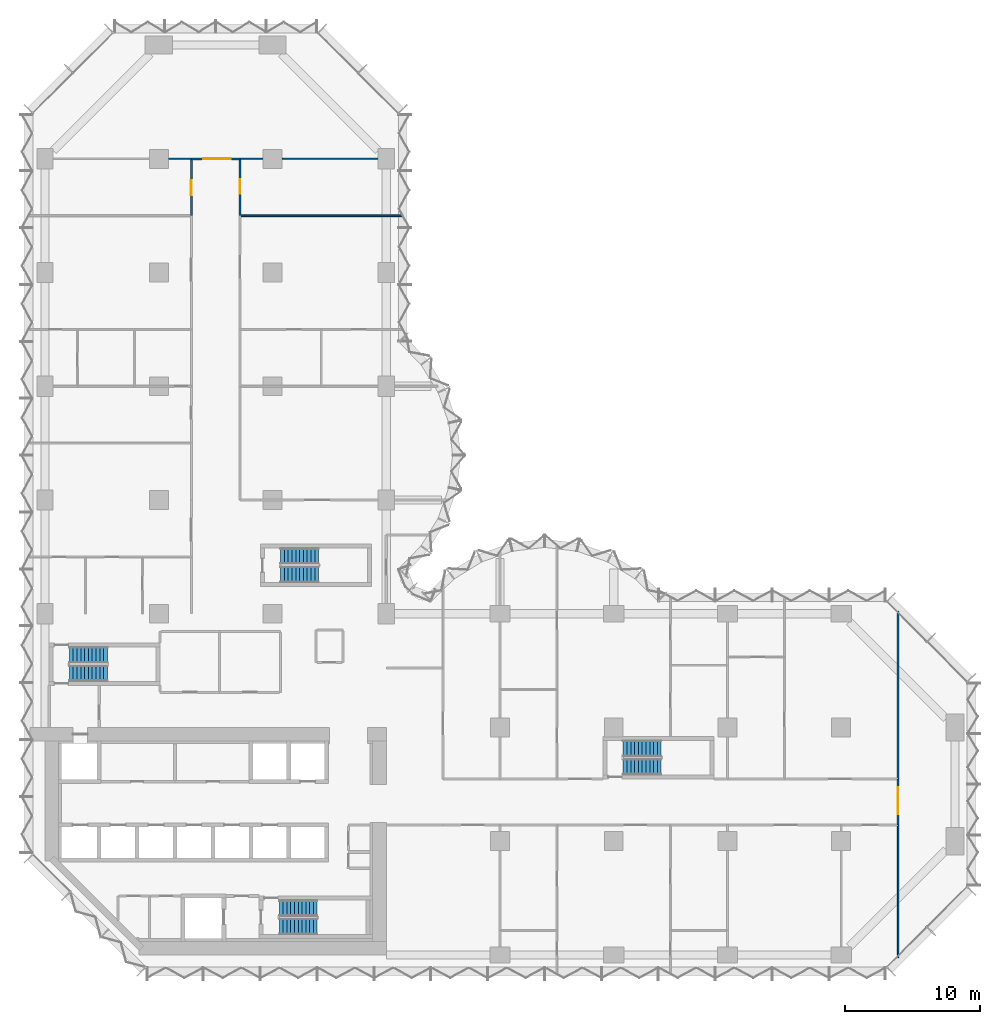
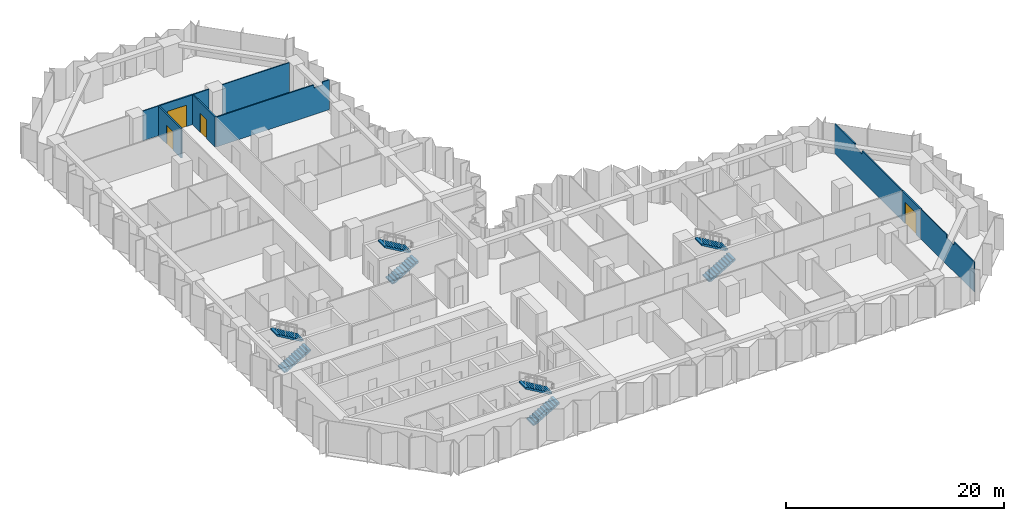
# One storey, part 12 of 15: 10 walls, 8 stair flights, 4 doors, 4 openings, 4 elements without a shape of their own.
"""IFC4 building model written with IfcOpenShell, lengths in metres."""

from ifc_helpers import new_model, si_unit, direction, frame, frame_2d, origin, place, context, subcontext, project, spatial, polyline, rectangle, outline, extrude, material, layer, layer_set, type_object, element, fill, aggregate, save


model = new_model("IFC4")

# Units and contexts
model_context = context("Model", 3, precision=1e-05, world=origin(), true_north=direction((0.0, 1.0)))
body_context = subcontext(model_context, "Body", "Model", "MODEL_VIEW")
ifc_project = project(units=[si_unit("LENGTHUNIT", "METRE"), si_unit("AREAUNIT", "SQUARE_METRE"), si_unit("VOLUMEUNIT", "CUBIC_METRE"), si_unit("PLANEANGLEUNIT", "RADIAN"), si_unit("MASSUNIT", "GRAM", prefix="KILO")], contexts=[model_context])

# Site, building, storey
site_placement = place(None, origin())
site = spatial("IfcSite", under=ifc_project, at=site_placement, CompositionType="ELEMENT")
building_placement = place(site_placement, origin())
building = spatial("IfcBuilding", under=site, at=building_placement, Name="Brevane Broadcast Tower", CompositionType="ELEMENT")
storey_placement = place(building_placement, frame((0.0, 0.0, 43.699951171875)))
storey = spatial("IfcBuildingStorey", under=building, at=storey_placement, Name="L08", CompositionType="ELEMENT", Elevation=43.699951171875)

# Walls
ifc_material_1 = material(Name="Gypsum board partition")
ifc_layer_1 = layer(ifc_material_1, 0.10009765625)
ifc_layer_set_1 = layer_set([ifc_layer_1], Name="PARTITION 100 STUD")
wall_type_1 = type_object("IfcWallType", Name="PARTITION 100 STUD", PredefinedType="PARTITIONING", material=ifc_layer_set_1)
wall_1_placement = place(storey_placement, frame((63.0, -0.199951171875, 0.0), z_axis=(0.0, 0.0, 1.0), x_axis=(0.0, 1.0, 0.0)))
element("IfcWall", 1, at=wall_1_placement, inside=storey, type_object=wall_type_1, Name="Partition G01-020", PredefinedType="PARTITIONING", context=body_context, shape_type="SweptSolid", body=[
    extrude(outline(polyline([(0.0, 0.0), (9.800048828125, 0.0), (9.800048828125, 3.330078125), (5.065673828125, 3.330078125), (5.063720703125, 2.97998046875), (3.736328125, 2.97998046875), (3.734375, 3.330078125), (0.0, 3.330078125), (0.0, 0.0)])), frame((0.0, 0.050048828125, 0.0), z_axis=(0.0, -1.0, 0.0), x_axis=(1.0, 0.0, 0.0)), (0.0, 0.0, 1.0), 0.10009765625),
])
wall_2_placement = place(storey_placement, frame((10.800048828125, 58.800048828125, 0.0), z_axis=(0.0, 0.0, 1.0), x_axis=(-1.0, 0.0, 0.0)))
element("IfcWall", 2, at=wall_2_placement, inside=storey, type_object=wall_type_1, Name="Partition G01-068", PredefinedType="PARTITIONING", context=body_context, shape_type="SweptSolid", body=[
    extrude(rectangle(XDim=1.679931640625, YDim=0.10009765625, at=frame_2d((0.83984375, 0.0))), origin(), (0.0, 0.0, 1.0), 3.330078125),
])
wall_3_placement = place(storey_placement, frame((24.580078125, 58.800048828125, 0.0), z_axis=(0.0, 0.0, 1.0), x_axis=(-1.0, 0.0, 0.0)))
element("IfcWall", 3, at=wall_3_placement, inside=storey, type_object=wall_type_1, Name="Partition G01-070", PredefinedType="PARTITIONING", context=body_context, shape_type="SweptSolid", body=[
    extrude(rectangle(XDim=7.06005859375, YDim=0.10009765625, at=frame_2d((3.530029296875, 0.0))), origin(), (0.0, 0.0, 1.0), 3.330078125),
])
wall_4_placement = place(storey_placement, frame((16.080078125, 58.800048828125, 0.0), z_axis=(0.0, 0.0, 1.0), x_axis=(-1.0, 0.0, 0.0)))
element("IfcWall", 4, at=wall_4_placement, inside=storey, type_object=wall_type_1, Name="Partition G01-071", PredefinedType="PARTITIONING", context=body_context, shape_type="SweptSolid", body=[
    extrude(rectangle(XDim=1.68017578125, YDim=0.10009765625, at=frame_2d((0.840087890625, 0.0))), origin(), (0.0, 0.0, 1.0), 3.330078125),
])
ifc_layer_2 = layer(ifc_material_1, 0.125)
ifc_layer_set_2 = layer_set([ifc_layer_2], Name="PARTITION 125 ACOUSTIC")
wall_type_2 = type_object("IfcWallType", Name="PARTITION 125 ACOUSTIC", PredefinedType="PARTITIONING", material=ifc_layer_set_2)
wall_5_placement = place(storey_placement, frame((63.0, 13.0, 0.0), z_axis=(0.0, 0.0, 1.0), x_axis=(0.0, 1.0, 0.0)))
element("IfcWall", 5, at=wall_5_placement, inside=storey, type_object=wall_type_2, Name="Partition G01-021", PredefinedType="PARTITIONING", context=body_context, shape_type="SweptSolid", body=[
    extrude(outline(polyline([(0.0, 0.0), (12.39990234375, 0.0), (12.39990234375, 3.330078125), (8.67822265625, 3.330078125), (8.67626953125, 2.97998046875), (7.32373046875, 2.97998046875), (7.32177734375, 3.330078125), (0.0, 3.330078125), (0.0, 0.0)])), frame((0.0, 0.0625, 0.0), z_axis=(0.0, -1.0, 0.0), x_axis=(1.0, 0.0, 0.0)), (0.0, 0.0, 1.0), 0.125),
])
wall_6_placement = place(storey_placement, frame((14.39990234375, 54.60009765625, 0.0), z_axis=(0.0, 0.0, 1.0), x_axis=(1.0, 0.0, 0.0)))
element("IfcWall", 6, at=wall_6_placement, inside=storey, type_object=wall_type_2, Name="Partition G01-092", PredefinedType="PARTITIONING", context=body_context, shape_type="SweptSolid", body=[
    extrude(outline(polyline([(0.0, 0.0), (11.97412109375, 0.0), (11.97412109375, 3.330078125), (11.89990234375, 3.330078125), (11.25, 3.330078125), (11.248046875, 2.97998046875), (10.35205078125, 2.97998046875), (10.35009765625, 3.330078125), (0.0, 3.330078125), (0.0, 0.0)])), frame((0.0, 0.0625, 0.0), z_axis=(0.0, -1.0, 0.0), x_axis=(1.0, 0.0, 0.0)), (0.0, 0.0, 1.0), 0.125),
])

# Wall, opening, door
ifc_layer_3 = layer(ifc_material_1, 0.14990234375)
ifc_layer_set_3 = layer_set([ifc_layer_3], Name="PARTITION 150 EI 60")
wall_type_3 = type_object("IfcWallType", Name="PARTITION 150 EI 60", PredefinedType="PARTITIONING", material=ifc_layer_set_3)
wall_7_placement = place(storey_placement, frame((63.0, 13.0, 0.0), z_axis=(0.0, 0.0, 1.0), x_axis=(0.0, -1.0, 0.0)))
wall_7 = element("IfcWall", 7, at=wall_7_placement, inside=storey, type_object=wall_type_3, Name="Partition G01-007", PredefinedType="PARTITIONING", context=body_context, shape_type="SweptSolid", body=[
    extrude(rectangle(XDim=3.39990234375, YDim=0.14990234375, at=frame_2d((1.699951171875, 0.0))), origin(), (0.0, 0.0, 1.0), 3.330078125),
])
opening_1_placement = place(wall_7_placement, frame((0.60009765625, 0.0, 0.0)))
opening_1 = element("IfcOpeningElement", 8, at=opening_1_placement, cuts=wall_7, Name="Opening D07-002", PredefinedType="OPENING", context=body_context, shape_type="SweptSolid", body=[
    extrude(rectangle(XDim=2.0, YDim=2.39990234375, at=frame_2d((1.0, 1.199951171875))), frame((0.0, 0.0849609375, 0.0), z_axis=(0.0, -1.0, 0.0), x_axis=(1.0, 0.0, 0.0)), (0.0, 0.0, 1.0), 0.169921875),
])
ifc_material_2 = material(Name="Fire-rated timber door leaf", Category="wood")
door_type_1 = type_object("IfcDoorType", Name="DOOR DOUBLE 2000 FD30S", OperationType="DOUBLE_DOOR_SINGLE_SWING", PredefinedType="DOOR", material=ifc_material_2)
door_1_placement = place(opening_1_placement, origin())
door_1 = element("IfcDoor", 9, at=door_1_placement, inside=storey, type_object=door_type_1, Name="Door D07-002", OperationType="DOUBLE_DOOR_SINGLE_SWING", OverallHeight=2.39990234375, OverallWidth=2.0, PredefinedType="DOOR", context=body_context, shape_type="SweptSolid", body=[
    extrude(rectangle(XDim=2.0, YDim=2.39990234375, at=frame_2d((1.0, 1.199951171875))), frame((0.0, 0.02490234375, 0.0), z_axis=(0.0, -1.0, 0.0), x_axis=(1.0, 0.0, 0.0)), (0.0, 0.0, 1.0), 0.050048828125),
])
fill(opening_1, door_1)

wall_8_placement = place(storey_placement, frame((10.800048828125, 58.800048828125, 0.0), z_axis=(0.0, 0.0, 1.0), x_axis=(1.0, 0.0, 0.0)))
wall_8 = element("IfcWall", 10, at=wall_8_placement, inside=storey, type_object=wall_type_3, Name="Partition G01-058", PredefinedType="PARTITIONING", context=body_context, shape_type="SweptSolid", body=[
    extrude(rectangle(XDim=3.599853515625, YDim=0.14990234375, at=frame_2d((1.7998046875, 0.0))), origin(), (0.0, 0.0, 1.0), 3.330078125),
])
opening_2_placement = place(wall_8_placement, frame((0.89990234375, 0.0, 0.0)))
opening_2 = element("IfcOpeningElement", 11, at=opening_2_placement, cuts=wall_8, Name="Opening D07-020", PredefinedType="OPENING", context=body_context, shape_type="SweptSolid", body=[
    extrude(rectangle(XDim=2.0, YDim=2.39990234375, at=frame_2d((1.0, 1.199951171875))), frame((0.0, 0.0849609375, 0.0), z_axis=(0.0, -1.0, 0.0), x_axis=(1.0, 0.0, 0.0)), (0.0, 0.0, 1.0), 0.169921875),
])
door_2_placement = place(opening_2_placement, origin())
door_2 = element("IfcDoor", 12, at=door_2_placement, inside=storey, type_object=door_type_1, Name="Door D07-020", OperationType="DOUBLE_DOOR_SINGLE_SWING", OverallHeight=2.39990234375, OverallWidth=2.0, PredefinedType="DOOR", context=body_context, shape_type="SweptSolid", body=[
    extrude(rectangle(XDim=2.0, YDim=2.39990234375, at=frame_2d((1.0, 1.199951171875))), frame((0.0, 0.02490234375, 0.0), z_axis=(0.0, -1.0, 0.0), x_axis=(1.0, 0.0, 0.0)), (0.0, 0.0, 1.0), 0.050048828125),
])
fill(opening_2, door_2)

wall_9_placement = place(storey_placement, frame((10.800048828125, 54.60009765625, 0.0), z_axis=(0.0, 0.0, 1.0), x_axis=(0.0, 1.0, 0.0)))
wall_9 = element("IfcWall", 13, at=wall_9_placement, inside=storey, type_object=wall_type_3, Name="Partition G01-063", PredefinedType="PARTITIONING", context=body_context, shape_type="SweptSolid", body=[
    extrude(rectangle(XDim=4.199951171875, YDim=0.14990234375, at=frame_2d((2.10009765625, 0.0))), origin(), (0.0, 0.0, 1.0), 3.330078125),
])
opening_3_placement = place(wall_9_placement, frame((1.5, 0.0, 0.0)))
opening_3 = element("IfcOpeningElement", 14, at=opening_3_placement, cuts=wall_9, Name="Opening D07-030", PredefinedType="OPENING", context=body_context, shape_type="SweptSolid", body=[
    extrude(rectangle(XDim=1.10009765625, YDim=2.10009765625, at=frame_2d((0.550048828125, 1.050048828125))), frame((0.0, 0.0849609375, 0.0), z_axis=(0.0, -1.0, 0.0), x_axis=(1.0, 0.0, 0.0)), (0.0, 0.0, 1.0), 0.169921875),
])
door_type_2 = type_object("IfcDoorType", Name="DOOR SINGLE 1100 FD30S", OperationType="SINGLE_SWING_LEFT", PredefinedType="DOOR", material=ifc_material_2)
door_3_placement = place(opening_3_placement, origin())
door_3 = element("IfcDoor", 15, at=door_3_placement, inside=storey, type_object=door_type_2, Name="Door D07-030", OperationType="SINGLE_SWING_LEFT", OverallHeight=2.10009765625, OverallWidth=1.10009765625, PredefinedType="DOOR", context=body_context, shape_type="SweptSolid", body=[
    extrude(rectangle(XDim=1.10009765625, YDim=2.10009765625, at=frame_2d((0.550048828125, 1.050048828125))), frame((0.0, 0.02490234375, 0.0), z_axis=(0.0, -1.0, 0.0), x_axis=(1.0, 0.0, 0.0)), (0.0, 0.0, 1.0), 0.050048828125),
])
fill(opening_3, door_3)

wall_10_placement = place(storey_placement, frame((14.39990234375, 58.800048828125, 0.0), z_axis=(0.0, 0.0, 1.0), x_axis=(0.0, -1.0, 0.0)))
wall_10 = element("IfcWall", 16, at=wall_10_placement, inside=storey, type_object=wall_type_3, Name="Partition G01-067", PredefinedType="PARTITIONING", context=body_context, shape_type="SweptSolid", body=[
    extrude(rectangle(XDim=4.199951171875, YDim=0.14990234375, at=frame_2d((2.10009765625, 0.0))), origin(), (0.0, 0.0, 1.0), 3.330078125),
])
opening_4_placement = place(wall_10_placement, frame((1.5, 0.0, 0.0)))
opening_4 = element("IfcOpeningElement", 17, at=opening_4_placement, cuts=wall_10, Name="Opening D07-035", PredefinedType="OPENING", context=body_context, shape_type="SweptSolid", body=[
    extrude(rectangle(XDim=1.10009765625, YDim=2.10009765625, at=frame_2d((0.550048828125, 1.050048828125))), frame((0.0, 0.0849609375, 0.0), z_axis=(0.0, -1.0, 0.0), x_axis=(1.0, 0.0, 0.0)), (0.0, 0.0, 1.0), 0.169921875),
])
door_4_placement = place(opening_4_placement, origin())
door_4 = element("IfcDoor", 18, at=door_4_placement, inside=storey, type_object=door_type_2, Name="Door D07-035", OperationType="SINGLE_SWING_LEFT", OverallHeight=2.10009765625, OverallWidth=1.10009765625, PredefinedType="DOOR", context=body_context, shape_type="SweptSolid", body=[
    extrude(rectangle(XDim=1.10009765625, YDim=2.10009765625, at=frame_2d((0.550048828125, 1.050048828125))), frame((0.0, 0.02490234375, 0.0), z_axis=(0.0, -1.0, 0.0), x_axis=(1.0, 0.0, 0.0)), (0.0, 0.0, 1.0), 0.050048828125),
])
fill(opening_4, door_4)

# Stair, stair flights
ifc_material_3 = material(Name="Concrete C50/60", Category="concrete")
stair_type = type_object("IfcStairType", Name="Exit stair 22 risers", PredefinedType="HALF_TURN_STAIR", material=ifc_material_3)
stair_1_placement = place(storey_placement, origin())
stair_1 = element("IfcStair", 19, at=stair_1_placement, inside=storey, type_object=stair_type, Name="L08 Exit stair ST-1", PredefinedType="HALF_TURN_STAIR")
stair_flight_type = type_object("IfcStairFlightType", Name="Exit stair flight 22 risers", PredefinedType="STRAIGHT", material=ifc_material_3)
stair_flight_1_placement = place(storey_placement, frame((1.800048828125, 20.800048828125, 0.0), z_axis=(0.0, 0.0, 1.0), x_axis=(1.0, 0.0, 0.0)))
stair_flight_1 = element("IfcStairFlight", 20, at=stair_flight_1_placement, type_object=stair_flight_type, Name="ST-1 flight 1", NumberOfRisers=11, NumberOfTreads=10, PredefinedType="STRAIGHT", RiserHeight=0.163636364, TreadLength=0.28, context=body_context, shape_type="SweptSolid", body=[
    extrude(outline(polyline([(0.0, 0.0), (0.0, 0.16357421875), (0.280029296875, 0.16357421875), (0.280029296875, 0.327392578125), (0.56005859375, 0.327392578125), (0.56005859375, 0.490966796875), (0.840087890625, 0.490966796875), (0.840087890625, 0.654541015625), (1.1201171875, 0.654541015625), (1.1201171875, 0.818115234375), (1.39990234375, 0.818115234375), (1.39990234375, 0.98193359375), (1.679931640625, 0.98193359375), (1.679931640625, 1.1455078125), (1.9599609375, 1.1455078125), (1.9599609375, 1.30908203125), (2.239990234375, 1.30908203125), (2.239990234375, 1.47265625), (2.52001953125, 1.47265625), (2.52001953125, 1.636474609375), (2.800048828125, 1.636474609375), (2.800048828125, 1.800048828125), (2.800048828125, 1.462646484375), (0.297119140625, 0.0), (0.0, 0.0)])), frame((0.0, 0.60009765625, 0.0), z_axis=(0.0, -1.0, 0.0), x_axis=(1.0, 0.0, 0.0)), (0.0, 0.0, 1.0), 1.199951171875),
])
stair_flight_2_placement = place(storey_placement, frame((4.60009765625, 22.14990234375, 1.800048828125), z_axis=(0.0, 0.0, 1.0), x_axis=(-1.0, 0.0, 0.0)))
stair_flight_2 = element("IfcStairFlight", 21, at=stair_flight_2_placement, type_object=stair_flight_type, Name="ST-1 flight 2", NumberOfRisers=11, NumberOfTreads=10, PredefinedType="STRAIGHT", RiserHeight=0.163636364, TreadLength=0.28, context=body_context, shape_type="SweptSolid", body=[
    extrude(outline(polyline([(0.0, 0.0), (0.0, 0.16357421875), (0.280029296875, 0.16357421875), (0.280029296875, 0.327392578125), (0.56005859375, 0.327392578125), (0.56005859375, 0.490966796875), (0.840087890625, 0.490966796875), (0.840087890625, 0.654541015625), (1.1201171875, 0.654541015625), (1.1201171875, 0.818115234375), (1.39990234375, 0.818115234375), (1.39990234375, 0.98193359375), (1.679931640625, 0.98193359375), (1.679931640625, 1.1455078125), (1.9599609375, 1.1455078125), (1.9599609375, 1.30908203125), (2.239990234375, 1.30908203125), (2.239990234375, 1.47265625), (2.52001953125, 1.47265625), (2.52001953125, 1.636474609375), (2.800048828125, 1.636474609375), (2.800048828125, 1.800048828125), (2.800048828125, 1.462646484375), (0.297119140625, 0.0), (0.0, 0.0)])), frame((0.0, 0.60009765625, 0.0), z_axis=(0.0, -1.0, 0.0), x_axis=(1.0, 0.0, 0.0)), (0.0, 0.0, 1.0), 1.199951171875),
])
aggregate(stair_1, [stair_flight_1, stair_flight_2])

stair_2_placement = place(storey_placement, origin())
stair_2 = element("IfcStair", 22, at=stair_2_placement, inside=storey, type_object=stair_type, Name="L08 Exit stair ST-2", PredefinedType="HALF_TURN_STAIR")
stair_flight_3_placement = place(storey_placement, frame((17.300048828125, 2.10009765625, 0.0), z_axis=(0.0, 0.0, 1.0), x_axis=(1.0, 0.0, 0.0)))
stair_flight_3 = element("IfcStairFlight", 23, at=stair_flight_3_placement, type_object=stair_flight_type, Name="ST-2 flight 1", NumberOfRisers=11, NumberOfTreads=10, PredefinedType="STRAIGHT", RiserHeight=0.163636364, TreadLength=0.28, context=body_context, shape_type="SweptSolid", body=[
    extrude(outline(polyline([(0.0, 0.0), (0.0, 0.16357421875), (0.280029296875, 0.16357421875), (0.280029296875, 0.327392578125), (0.56005859375, 0.327392578125), (0.56005859375, 0.490966796875), (0.840087890625, 0.490966796875), (0.840087890625, 0.654541015625), (1.1201171875, 0.654541015625), (1.1201171875, 0.818115234375), (1.39990234375, 0.818115234375), (1.39990234375, 0.98193359375), (1.679931640625, 0.98193359375), (1.679931640625, 1.1455078125), (1.9599609375, 1.1455078125), (1.9599609375, 1.30908203125), (2.239990234375, 1.30908203125), (2.239990234375, 1.47265625), (2.52001953125, 1.47265625), (2.52001953125, 1.636474609375), (2.800048828125, 1.636474609375), (2.800048828125, 1.800048828125), (2.800048828125, 1.462646484375), (0.297119140625, 0.0), (0.0, 0.0)])), frame((0.0, 0.60009765625, 0.0), z_axis=(0.0, -1.0, 0.0), x_axis=(1.0, 0.0, 0.0)), (0.0, 0.0, 1.0), 1.199951171875),
])
stair_flight_4_placement = place(storey_placement, frame((20.10009765625, 3.449951171875, 1.800048828125), z_axis=(0.0, 0.0, 1.0), x_axis=(-1.0, 0.0, 0.0)))
stair_flight_4 = element("IfcStairFlight", 24, at=stair_flight_4_placement, type_object=stair_flight_type, Name="ST-2 flight 2", NumberOfRisers=11, NumberOfTreads=10, PredefinedType="STRAIGHT", RiserHeight=0.163636364, TreadLength=0.28, context=body_context, shape_type="SweptSolid", body=[
    extrude(outline(polyline([(0.0, 0.0), (0.0, 0.16357421875), (0.280029296875, 0.16357421875), (0.280029296875, 0.327392578125), (0.56005859375, 0.327392578125), (0.56005859375, 0.490966796875), (0.840087890625, 0.490966796875), (0.840087890625, 0.654541015625), (1.1201171875, 0.654541015625), (1.1201171875, 0.818115234375), (1.39990234375, 0.818115234375), (1.39990234375, 0.98193359375), (1.679931640625, 0.98193359375), (1.679931640625, 1.1455078125), (1.9599609375, 1.1455078125), (1.9599609375, 1.30908203125), (2.239990234375, 1.30908203125), (2.239990234375, 1.47265625), (2.52001953125, 1.47265625), (2.52001953125, 1.636474609375), (2.800048828125, 1.636474609375), (2.800048828125, 1.800048828125), (2.800048828125, 1.462646484375), (0.297119140625, 0.0), (0.0, 0.0)])), frame((0.0, 0.60009765625, 0.0), z_axis=(0.0, -1.0, 0.0), x_axis=(1.0, 0.0, 0.0)), (0.0, 0.0, 1.0), 1.199951171875),
])
aggregate(stair_2, [stair_flight_3, stair_flight_4])

stair_3_placement = place(storey_placement, origin())
stair_3 = element("IfcStair", 25, at=stair_3_placement, inside=storey, type_object=stair_type, Name="L08 Exit stair ST-3", PredefinedType="HALF_TURN_STAIR")
stair_flight_5_placement = place(storey_placement, frame((17.39990234375, 28.10009765625, 0.0), z_axis=(0.0, 0.0, 1.0), x_axis=(1.0, 0.0, 0.0)))
stair_flight_5 = element("IfcStairFlight", 26, at=stair_flight_5_placement, type_object=stair_flight_type, Name="ST-3 flight 1", NumberOfRisers=11, NumberOfTreads=10, PredefinedType="STRAIGHT", RiserHeight=0.163636364, TreadLength=0.28, context=body_context, shape_type="SweptSolid", body=[
    extrude(outline(polyline([(0.0, 0.0), (0.0, 0.16357421875), (0.280029296875, 0.16357421875), (0.280029296875, 0.327392578125), (0.56005859375, 0.327392578125), (0.56005859375, 0.490966796875), (0.840087890625, 0.490966796875), (0.840087890625, 0.654541015625), (1.1201171875, 0.654541015625), (1.1201171875, 0.818115234375), (1.39990234375, 0.818115234375), (1.39990234375, 0.98193359375), (1.679931640625, 0.98193359375), (1.679931640625, 1.1455078125), (1.9599609375, 1.1455078125), (1.9599609375, 1.30908203125), (2.239990234375, 1.30908203125), (2.239990234375, 1.47265625), (2.52001953125, 1.47265625), (2.52001953125, 1.636474609375), (2.800048828125, 1.636474609375), (2.800048828125, 1.800048828125), (2.800048828125, 1.462646484375), (0.297119140625, 0.0), (0.0, 0.0)])), frame((0.0, 0.60009765625, 0.0), z_axis=(0.0, -1.0, 0.0), x_axis=(1.0, 0.0, 0.0)), (0.0, 0.0, 1.0), 1.199951171875),
])
stair_flight_6_placement = place(storey_placement, frame((20.199951171875, 29.449951171875, 1.800048828125), z_axis=(0.0, 0.0, 1.0), x_axis=(-1.0, 0.0, 0.0)))
stair_flight_6 = element("IfcStairFlight", 27, at=stair_flight_6_placement, type_object=stair_flight_type, Name="ST-3 flight 2", NumberOfRisers=11, NumberOfTreads=10, PredefinedType="STRAIGHT", RiserHeight=0.163636364, TreadLength=0.28, context=body_context, shape_type="SweptSolid", body=[
    extrude(outline(polyline([(0.0, 0.0), (0.0, 0.16357421875), (0.280029296875, 0.16357421875), (0.280029296875, 0.327392578125), (0.56005859375, 0.327392578125), (0.56005859375, 0.490966796875), (0.840087890625, 0.490966796875), (0.840087890625, 0.654541015625), (1.1201171875, 0.654541015625), (1.1201171875, 0.818115234375), (1.39990234375, 0.818115234375), (1.39990234375, 0.98193359375), (1.679931640625, 0.98193359375), (1.679931640625, 1.1455078125), (1.9599609375, 1.1455078125), (1.9599609375, 1.30908203125), (2.239990234375, 1.30908203125), (2.239990234375, 1.47265625), (2.52001953125, 1.47265625), (2.52001953125, 1.636474609375), (2.800048828125, 1.636474609375), (2.800048828125, 1.800048828125), (2.800048828125, 1.462646484375), (0.297119140625, 0.0), (0.0, 0.0)])), frame((0.0, 0.60009765625, 0.0), z_axis=(0.0, -1.0, 0.0), x_axis=(1.0, 0.0, 0.0)), (0.0, 0.0, 1.0), 1.199951171875),
])
aggregate(stair_3, [stair_flight_5, stair_flight_6])

stair_4_placement = place(storey_placement, origin())
stair_4 = element("IfcStair", 28, at=stair_4_placement, inside=storey, type_object=stair_type, Name="L08 Exit stair ST-4", PredefinedType="HALF_TURN_STAIR")
stair_flight_7_placement = place(storey_placement, frame((42.699951171875, 13.89990234375, 0.0), z_axis=(0.0, 0.0, 1.0), x_axis=(1.0, 0.0, 0.0)))
stair_flight_7 = element("IfcStairFlight", 29, at=stair_flight_7_placement, type_object=stair_flight_type, Name="ST-4 flight 1", NumberOfRisers=11, NumberOfTreads=10, PredefinedType="STRAIGHT", RiserHeight=0.163636364, TreadLength=0.28, context=body_context, shape_type="SweptSolid", body=[
    extrude(outline(polyline([(0.0, 0.0), (0.0, 0.16357421875), (0.280029296875, 0.16357421875), (0.280029296875, 0.327392578125), (0.56005859375, 0.327392578125), (0.56005859375, 0.490966796875), (0.840087890625, 0.490966796875), (0.840087890625, 0.654541015625), (1.1201171875, 0.654541015625), (1.1201171875, 0.818115234375), (1.39990234375, 0.818115234375), (1.39990234375, 0.98193359375), (1.679931640625, 0.98193359375), (1.679931640625, 1.1455078125), (1.9599609375, 1.1455078125), (1.9599609375, 1.30908203125), (2.239990234375, 1.30908203125), (2.239990234375, 1.47265625), (2.52001953125, 1.47265625), (2.52001953125, 1.636474609375), (2.800048828125, 1.636474609375), (2.800048828125, 1.800048828125), (2.800048828125, 1.462646484375), (0.297119140625, 0.0), (0.0, 0.0)])), frame((0.0, 0.60009765625, 0.0), z_axis=(0.0, -1.0, 0.0), x_axis=(1.0, 0.0, 0.0)), (0.0, 0.0, 1.0), 1.199951171875),
])
stair_flight_8_placement = place(storey_placement, frame((45.5, 15.25, 1.800048828125), z_axis=(0.0, 0.0, 1.0), x_axis=(-1.0, 0.0, 0.0)))
stair_flight_8 = element("IfcStairFlight", 30, at=stair_flight_8_placement, type_object=stair_flight_type, Name="ST-4 flight 2", NumberOfRisers=11, NumberOfTreads=10, PredefinedType="STRAIGHT", RiserHeight=0.163636364, TreadLength=0.28, context=body_context, shape_type="SweptSolid", body=[
    extrude(outline(polyline([(0.0, 0.0), (0.0, 0.16357421875), (0.280029296875, 0.16357421875), (0.280029296875, 0.327392578125), (0.56005859375, 0.327392578125), (0.56005859375, 0.490966796875), (0.840087890625, 0.490966796875), (0.840087890625, 0.654541015625), (1.1201171875, 0.654541015625), (1.1201171875, 0.818115234375), (1.39990234375, 0.818115234375), (1.39990234375, 0.98193359375), (1.679931640625, 0.98193359375), (1.679931640625, 1.1455078125), (1.9599609375, 1.1455078125), (1.9599609375, 1.30908203125), (2.239990234375, 1.30908203125), (2.239990234375, 1.47265625), (2.52001953125, 1.47265625), (2.52001953125, 1.636474609375), (2.800048828125, 1.636474609375), (2.800048828125, 1.800048828125), (2.800048828125, 1.462646484375), (0.297119140625, 0.0), (0.0, 0.0)])), frame((0.0, 0.60009765625, 0.0), z_axis=(0.0, -1.0, 0.0), x_axis=(1.0, 0.0, 0.0)), (0.0, 0.0, 1.0), 1.199951171875),
])
aggregate(stair_4, [stair_flight_7, stair_flight_8])

save(model, "model.ifc")
